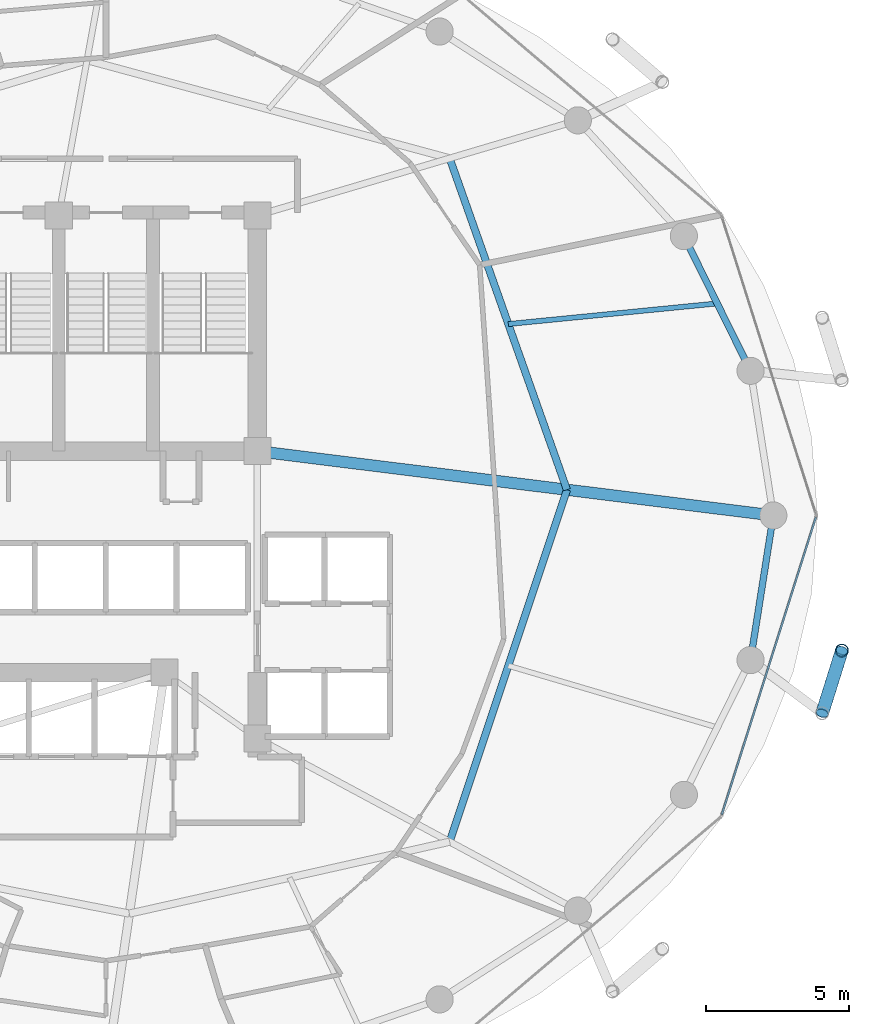
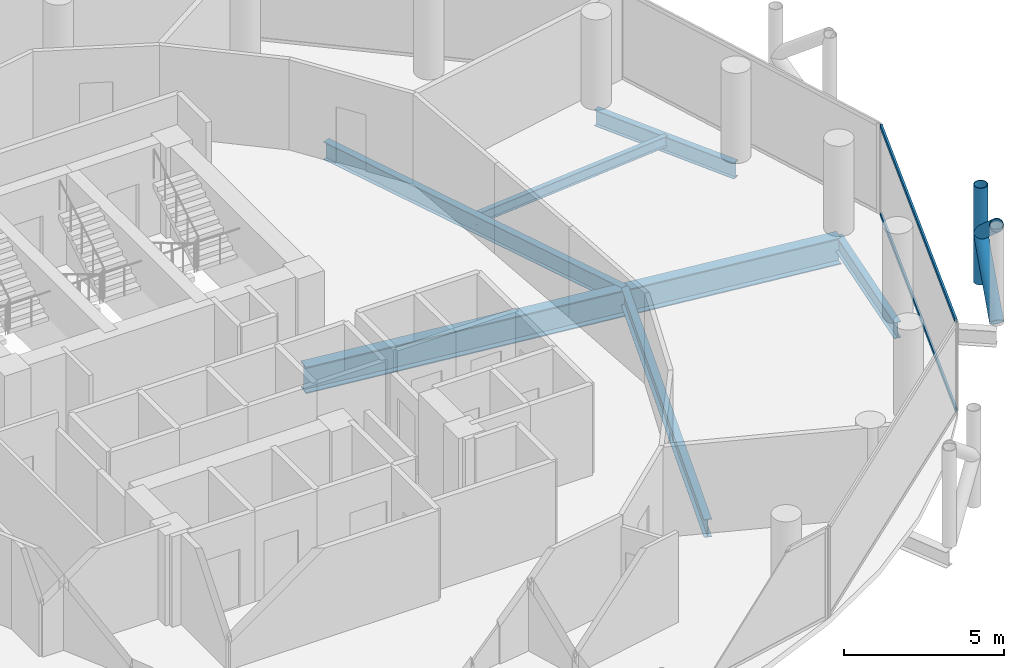
# One storey, part 11 of 26: 6 beams, 5 members, 1 element without a shape of its own.
"""IFC4 building model written with IfcOpenShell, lengths in metres."""

from ifc_helpers import new_model, si_unit, direction, frame, origin, origin_2d, place, context, subcontext, project, spatial, hollow_rectangle, hollow_circle, i_section, extrude, material, layer, layer_set, material_profile, profile_set, type_object, element, aggregate, save


model = new_model("IFC4")

# Units and contexts
model_context = context("Model", 3, precision=1e-05, world=origin(), true_north=direction((0.0, 1.0)))
body_context = subcontext(model_context, "Body", "Model", "MODEL_VIEW")
ifc_project = project(units=[si_unit("LENGTHUNIT", "METRE"), si_unit("AREAUNIT", "SQUARE_METRE"), si_unit("VOLUMEUNIT", "CUBIC_METRE"), si_unit("PLANEANGLEUNIT", "RADIAN"), si_unit("MASSUNIT", "GRAM", prefix="KILO")], contexts=[model_context])

# Site, building, storey
site_placement = place(None, origin())
site = spatial("IfcSite", under=ifc_project, at=site_placement, CompositionType="ELEMENT")
building_placement = place(site_placement, origin())
building = spatial("IfcBuilding", under=site, at=building_placement, Name="Nuhasar Tower", CompositionType="ELEMENT")
storey_placement = place(building_placement, frame((0.0, 0.0, 144.14990234375)))
storey = spatial("IfcBuildingStorey", under=building, at=storey_placement, Name="L34", CompositionType="ELEMENT", Elevation=144.14990234375)

# Beams
ifc_material_1 = material(Name="Steel S355", Category="steel")
ifc_material_profile_1 = material_profile(ifc_material_1, i_section(OverallWidth=0.25390625, OverallDepth=0.68408203125, WebThickness=0.012451171875, FlangeThickness=0.018798828125, at=origin_2d()), Name="W27X94")
ifc_profile_set_1 = profile_set([ifc_material_profile_1], Name="Steel S355")
beam_type_1 = type_object("IfcBeamType", Name="BM-INRING-W27X94", PredefinedType="BEAM", material=ifc_profile_set_1)
beam_1_placement = place(storey_placement, frame((51.027099609375, 15.385986328125, -0.591796875), z_axis=(0.31609797573, 0.948726551615, 0.0), x_axis=(-0.948726551615, 0.31609797573, 0.0)))
element("IfcBeam", 1, at=beam_1_placement, inside=storey, type_object=beam_type_1, Name="L34 Inner Header Beam 03", PredefinedType="BEAM", context=body_context, shape_type="SweptSolid", body=[
    extrude(i_section(OverallWidth=0.25390625, OverallDepth=0.68408203125, WebThickness=0.012451171875, FlangeThickness=0.018798828125, at=origin_2d()), origin(), (0.0, 0.0, 1.0), 12.9794921875),
])
beam_2_placement = place(storey_placement, frame((55.1298828125, 27.699951171875, -0.591796875), z_axis=(-0.333599821096, 0.942714781556, 0.0), x_axis=(-0.942714781556, -0.333599821096, 0.0)))
element("IfcBeam", 2, at=beam_2_placement, inside=storey, type_object=beam_type_1, Name="L34 Inner Header Beam 04", PredefinedType="BEAM", context=body_context, shape_type="SweptSolid", body=[
    extrude(i_section(OverallWidth=0.25390625, OverallDepth=0.68408203125, WebThickness=0.012451171875, FlangeThickness=0.018798828125, at=origin_2d()), origin(), (0.0, 0.0, 1.0), 12.298583984375),
])
ifc_material_profile_2 = material_profile(ifc_material_1, i_section(OverallWidth=0.177978515625, OverallDepth=0.406005859375, WebThickness=0.0078125, FlangeThickness=0.0126953125, at=origin_2d()), Name="W16X40")
ifc_profile_set_2 = profile_set([ifc_material_profile_2], Name="Steel S355")
beam_type_2 = type_object("IfcBeamType", Name="BM-JST-W16X40", PredefinedType="JOIST", material=ifc_profile_set_2)
beam_3_placement = place(storey_placement, frame((53.0791015625, 33.4970703125, -0.452880859375), z_axis=(0.995170244515, 0.098164068947, 0.0), x_axis=(-0.098164068947, 0.995170244515, 0.0)))
element("IfcBeam", 3, at=beam_3_placement, inside=storey, type_object=beam_type_2, Name="L34 Secondary Floor Joist 04", PredefinedType="JOIST", context=body_context, shape_type="SweptSolid", body=[
    extrude(i_section(OverallWidth=0.177978515625, OverallDepth=0.406005859375, WebThickness=0.0078125, FlangeThickness=0.0126953125, at=origin_2d()), origin(), (0.0, 0.0, 1.0), 7.34423828125),
])
ifc_material_profile_3 = material_profile(ifc_material_1, i_section(OverallWidth=0.22998046875, OverallDepth=0.616943359375, WebThickness=0.01318359375, FlangeThickness=0.022216796875, at=origin_2d()), Name="W24X94")
ifc_profile_set_3 = profile_set([ifc_material_profile_3], Name="Steel S355")
beam_type_3 = type_object("IfcBeamType", Name="BM-RING-W24X94", PredefinedType="SPANDREL", material=ifc_profile_set_3)
beam_4_placement = place(storey_placement, frame((61.553955078125, 31.860107421875, -0.558837890625), z_axis=(-0.443347771709, 0.896349682501, 0.0), x_axis=(-0.896349682501, -0.443347771709, 0.0)))
element("IfcBeam", 4, at=beam_4_placement, inside=storey, type_object=beam_type_3, Name="L34 Perimeter Ring Spandrel 02", PredefinedType="SPANDREL", context=body_context, shape_type="SweptSolid", body=[
    extrude(i_section(OverallWidth=0.22998046875, OverallDepth=0.616943359375, WebThickness=0.01318359375, FlangeThickness=0.022216796875, at=origin_2d()), origin(), (0.0, 0.0, 1.0), 5.260009765625),
])
beam_5_placement = place(storey_placement, frame((61.553955078125, 21.739990234375, -0.558837890625), z_axis=(0.155426543608, 0.987847452566, 0.0), x_axis=(-0.987847452566, 0.155426543608, 0.0)))
element("IfcBeam", 5, at=beam_5_placement, inside=storey, type_object=beam_type_3, Name="L34 Perimeter Ring Spandrel 24", PredefinedType="SPANDREL", context=body_context, shape_type="SweptSolid", body=[
    extrude(i_section(OverallWidth=0.22998046875, OverallDepth=0.616943359375, WebThickness=0.01318359375, FlangeThickness=0.022216796875, at=origin_2d()), origin(), (0.0, 0.0, 1.0), 5.122314453125),
])
ifc_material_2 = material(Name="Steel S460", Category="steel")
ifc_material_profile_4 = material_profile(ifc_material_2, i_section(OverallWidth=0.40087890625, OverallDepth=1.010009765625, WebThickness=0.023681640625, FlangeThickness=0.0419921875, at=origin_2d()), Name="W40X297")
ifc_profile_set_4 = profile_set([ifc_material_profile_4], Name="Steel S460")
beam_type_4 = type_object("IfcBeamType", Name="BM-XFER-W40X297", PredefinedType="USERDEFINED", material=ifc_profile_set_4)
beam_6_placement = place(storey_placement, frame((44.300048828125, 29.050048828125, -0.7548828125), z_axis=(0.992320149485, -0.123696082908, 0.0), x_axis=(0.123696082908, 0.992320149485, 0.0)))
element("IfcBeam", 6, at=beam_6_placement, inside=storey, type_object=beam_type_4, Name="L34 Radial Floor Girder 04", ObjectType="GIRDER", PredefinedType="USERDEFINED", context=body_context, shape_type="SweptSolid", body=[
    extrude(i_section(OverallWidth=0.40087890625, OverallDepth=1.010009765625, WebThickness=0.023681640625, FlangeThickness=0.0419921875, at=origin_2d()), origin(), (0.0, 0.0, 1.0), 18.189697265625),
])

# Curtain wall, members
ifc_material_3 = material(Name="Aluminium 6063-T6", Category="aluminium")
ifc_layer = layer(ifc_material_3, 0.199951171875)
ifc_layer_set = layer_set([ifc_layer], Name="Aluminium 6063-T6")
curtain_wall_type = type_object("IfcCurtainWallType", Name="CW-Z2-HTL", PredefinedType="NOTDEFINED", material=ifc_layer_set)
curtain_wall_placement = place(storey_placement, origin())
curtain_wall = element("IfcCurtainWall", 7, at=curtain_wall_placement, inside=storey, type_object=curtain_wall_type, Name="L34 Unitised Curtain Wall 12", PredefinedType="NOTDEFINED")
ifc_material_profile_5 = material_profile(ifc_material_3, hollow_rectangle(XDim=0.070068359375, YDim=0.159912109375, WallThickness=0.00439453125, at=origin_2d()), Name="CWT-3")
ifc_profile_set_5 = profile_set([ifc_material_profile_5], Name="Aluminium 6063-T6")
member_type_1 = type_object("IfcMemberType", Name="CW-TRN-S3", PredefinedType="USERDEFINED", material=ifc_profile_set_5)
member_1_placement = place(storey_placement, frame((60.550048828125, 16.336669921875, 0.03515625), z_axis=(0.301608163352, 0.953431967053, 0.0), x_axis=(-0.953431967053, 0.301608163352, 0.0)))
member_1 = element("IfcMember", 8, at=member_1_placement, type_object=member_type_1, Name="CW-Z2 transom 1.1", ObjectType="TRANSOM", PredefinedType="USERDEFINED", context=body_context, shape_type="SweptSolid", body=[
    extrude(hollow_rectangle(XDim=0.070068359375, YDim=0.159912109375, WallThickness=0.00439453125, at=origin_2d()), origin(), (0.0, 0.0, 1.0), 10.904296875),
])
member_2_placement = place(storey_placement, frame((60.550048828125, 16.336669921875, 3.4150390625), z_axis=(0.301608163352, 0.953431967053, 0.0), x_axis=(-0.953431967053, 0.301608163352, 0.0)))
member_2 = element("IfcMember", 9, at=member_2_placement, type_object=member_type_1, Name="CW-Z2 transom 1.2", ObjectType="TRANSOM", PredefinedType="USERDEFINED", context=body_context, shape_type="SweptSolid", body=[
    extrude(hollow_rectangle(XDim=0.070068359375, YDim=0.159912109375, WallThickness=0.00439453125, at=origin_2d()), origin(), (0.0, 0.0, 1.0), 10.904296875),
])
aggregate(curtain_wall, [member_1, member_2])

# Members
ifc_material_profile_6 = material_profile(ifc_material_2, hollow_circle(Radius=0.228515625, WallThickness=0.022216796875, at=origin_2d()), Name="HSS457X22.2")
ifc_profile_set_6 = profile_set([ifc_material_profile_6], Name="Steel S460")
member_type_2 = type_object("IfcMemberType", Name="EXO-BRONZE-457", PredefinedType="BRACE", material=ifc_profile_set_6)
member_3_placement = place(storey_placement, frame((64.748046875, 22.073974609375, 0.0), z_axis=(0.0, 0.0, 1.0), x_axis=(1.0, 0.0, 0.0)))
element("IfcMember", 10, at=member_3_placement, inside=storey, type_object=member_type_2, Name="L34 Exoskeleton Chord Column EC-12B", PredefinedType="BRACE", context=body_context, shape_type="SweptSolid", body=[
    extrude(hollow_circle(Radius=0.228515625, WallThickness=0.022216796875, at=origin_2d()), origin(), (0.0, 0.0, 1.0), 3.7001953125),
])
for number, where, z_axis, x_axis, name in (
    (11, (64.06005859375, 19.87890625, 0.0), (0.233055548538, 0.743577869731, 0.626719285599), (-0.954228474306, 0.29907861646, 0.0), "L34 Bronze Diagrid Brace W1-12"),
    (12, (64.748046875, 22.073974609375, 1.85009765625), (-0.233055548538, -0.743577869731, 0.626719285599), (0.954228474306, -0.29907861646, 0.0), "L34 Bronze Diagrid Brace W2-12"),
):
    element("IfcMember", number, at=place(storey_placement, frame(where, z_axis=z_axis, x_axis=x_axis)), inside=storey, type_object=member_type_2, Name=name, PredefinedType="BRACE", context=body_context, shape_type="SweptSolid", body=[
        extrude(hollow_circle(Radius=0.228515625, WallThickness=0.022216796875, at=origin_2d()), origin(), (0.0, 0.0, 1.0), 2.9521484375),
    ])

save(model, "model.ifc")
